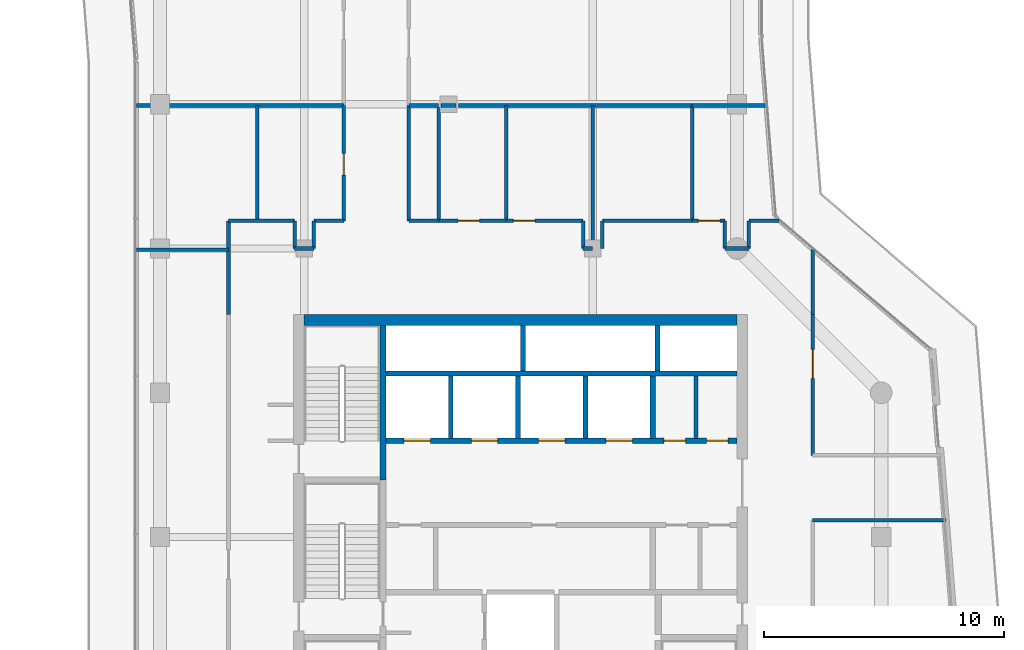
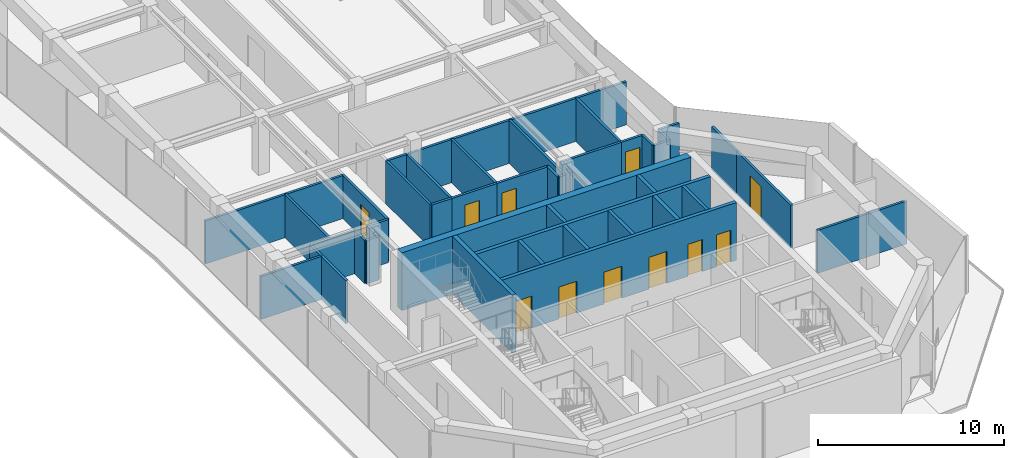
# One storey, part 20 of 23: 45 walls, 11 doors, 11 openings.
"""IFC4 building model written with IfcOpenShell, lengths in metres."""

from ifc_helpers import new_model, si_unit, direction, frame, frame_2d, origin, place, context, subcontext, project, spatial, rectangle, extrude, material, layer, layer_set, type_object, element, fill, save


model = new_model("IFC4")

# Units and contexts
model_context = context("Model", 3, precision=1e-05, world=origin(), true_north=direction((0.0, 1.0)))
body_context = subcontext(model_context, "Body", "Model", "MODEL_VIEW")
ifc_project = project(units=[si_unit("LENGTHUNIT", "METRE"), si_unit("AREAUNIT", "SQUARE_METRE"), si_unit("VOLUMEUNIT", "CUBIC_METRE"), si_unit("PLANEANGLEUNIT", "RADIAN"), si_unit("MASSUNIT", "GRAM", prefix="KILO")], contexts=[model_context])

# Site, building, storey
site_placement = place(None, origin())
site = spatial("IfcSite", under=ifc_project, at=site_placement, CompositionType="ELEMENT")
building_placement = place(site_placement, origin())
building = spatial("IfcBuilding", under=site, at=building_placement, Name="Welwitschia Terrace Campus", CompositionType="ELEMENT")
storey_placement = place(building_placement, frame((0.0, 0.0, 209.60009765625)))
storey = spatial("IfcBuildingStorey", under=building, at=storey_placement, Name="L46", CompositionType="ELEMENT", Elevation=209.60009765625)

# Wall
ifc_material_1 = material(Name="Concrete C32/40", Category="concrete")
ifc_layer_1 = layer(ifc_material_1, 0.175048828125)
ifc_layer_set_1 = layer_set([ifc_layer_1], Name="Concrete C32/40")
wall_type_1 = type_object("IfcWallType", Name="Core partition 175 Concrete C32/40", PredefinedType="PARTITIONING", material=ifc_layer_set_1)
wall_1_placement = place(storey_placement, frame((22.300048828125, 20.10009765625, 0.0), z_axis=(0.0, 0.0, 1.0), x_axis=(0.0, 1.0, 0.0)))
element("IfcWall", 1, at=wall_1_placement, inside=storey, type_object=wall_type_1, Name="Core partition", PredefinedType="PARTITIONING", context=body_context, shape_type="SweptSolid", body=[
    extrude(rectangle(XDim=2.599853515625, YDim=0.175048828125, at=frame_2d((1.2998046875, 0.0))), origin(), (0.0, 0.0, 1.0), 3.7998046875),
])

# Wall, openings, doors
ifc_material_2 = material(Name="Concrete C32/40", Category="concrete")
ifc_layer_2 = layer(ifc_material_2, 0.22509765625)
ifc_layer_set_2 = layer_set([ifc_layer_2], Name="Concrete C32/40")
wall_type_2 = type_object("IfcWallType", Name="Core partition 225 Concrete C32/40", PredefinedType="PARTITIONING", material=ifc_layer_set_2)
wall_2_placement = place(storey_placement, frame((24.0, 20.0, 0.0), z_axis=(0.0, 0.0, 1.0), x_axis=(-1.0, 0.0, 0.0)))
wall_2 = element("IfcWall", 2, at=wall_2_placement, inside=storey, type_object=wall_type_2, Name="Shaft wall", PredefinedType="PARTITIONING", context=body_context, shape_type="SweptSolid", body=[
    extrude(rectangle(XDim=14.60009765625, YDim=0.22509765625, at=frame_2d((7.300048828125, 0.0))), origin(), (0.0, 0.0, 1.0), 3.7998046875),
])
opening_1_placement = place(wall_2_placement, frame((12.75, 0.0, 0.0)))
opening_1 = element("IfcOpeningElement", 3, at=opening_1_placement, cuts=wall_2, Name="Opening LD", PredefinedType="OPENING", context=body_context, shape_type="SweptSolid", body=[
    extrude(rectangle(XDim=1.10009765625, YDim=2.10009765625, at=frame_2d((0.550048828125, 1.050048828125))), frame((0.0, 0.12255859375, 0.0), z_axis=(0.0, -1.0, 0.0), x_axis=(1.0, 0.0, 0.0)), (0.0, 0.0, 1.0), 0.2451171875),
])
opening_2_placement = place(wall_2_placement, frame((9.949951171875, 0.0, 0.0)))
opening_2 = element("IfcOpeningElement", 4, at=opening_2_placement, cuts=wall_2, Name="Opening LD", PredefinedType="OPENING", context=body_context, shape_type="SweptSolid", body=[
    extrude(rectangle(XDim=1.10009765625, YDim=2.10009765625, at=frame_2d((0.550048828125, 1.050048828125))), frame((0.0, 0.12255859375, 0.0), z_axis=(0.0, -1.0, 0.0), x_axis=(1.0, 0.0, 0.0)), (0.0, 0.0, 1.0), 0.2451171875),
])
opening_3_placement = place(wall_2_placement, frame((7.14990234375, 0.0, 0.0)))
opening_3 = element("IfcOpeningElement", 5, at=opening_3_placement, cuts=wall_2, Name="Opening LD", PredefinedType="OPENING", context=body_context, shape_type="SweptSolid", body=[
    extrude(rectangle(XDim=1.10009765625, YDim=2.10009765625, at=frame_2d((0.550048828125, 1.050048828125))), frame((0.0, 0.12255859375, 0.0), z_axis=(0.0, -1.0, 0.0), x_axis=(1.0, 0.0, 0.0)), (0.0, 0.0, 1.0), 0.2451171875),
])
opening_4_placement = place(wall_2_placement, frame((4.35009765625, 0.0, 0.0)))
opening_4 = element("IfcOpeningElement", 6, at=opening_4_placement, cuts=wall_2, Name="Opening LD", PredefinedType="OPENING", context=body_context, shape_type="SweptSolid", body=[
    extrude(rectangle(XDim=1.10009765625, YDim=2.10009765625, at=frame_2d((0.550048828125, 1.050048828125))), frame((0.0, 0.12255859375, 0.0), z_axis=(0.0, -1.0, 0.0), x_axis=(1.0, 0.0, 0.0)), (0.0, 0.0, 1.0), 0.2451171875),
])
opening_5_placement = place(wall_2_placement, frame((2.137451171875, 0.0, 0.0)))
opening_5 = element("IfcOpeningElement", 7, at=opening_5_placement, cuts=wall_2, Name="Opening DR09", PredefinedType="OPENING", context=body_context, shape_type="SweptSolid", body=[
    extrude(rectangle(XDim=0.89990234375, YDim=2.10009765625, at=frame_2d((0.449951171875, 1.050048828125))), frame((0.0, 0.12255859375, 0.0), z_axis=(0.0, -1.0, 0.0), x_axis=(1.0, 0.0, 0.0)), (0.0, 0.0, 1.0), 0.2451171875),
])
opening_6_placement = place(wall_2_placement, frame((0.362548828125, 0.0, 0.0)))
opening_6 = element("IfcOpeningElement", 8, at=opening_6_placement, cuts=wall_2, Name="Opening DR09", PredefinedType="OPENING", context=body_context, shape_type="SweptSolid", body=[
    extrude(rectangle(XDim=0.89990234375, YDim=2.10009765625, at=frame_2d((0.449951171875, 1.050048828125))), frame((0.0, 0.12255859375, 0.0), z_axis=(0.0, -1.0, 0.0), x_axis=(1.0, 0.0, 0.0)), (0.0, 0.0, 1.0), 0.2451171875),
])
ifc_material_3 = material(Name="Steel S275", Category="steel")
door_type_1 = type_object("IfcDoorType", Name="Core door DR09", OperationType="SINGLE_SWING_LEFT", PredefinedType="DOOR", material=ifc_material_3)
door_1_placement = place(opening_5_placement, origin())
door_1 = element("IfcDoor", 9, at=door_1_placement, inside=storey, type_object=door_type_1, Name="Door EH1-D", OperationType="SINGLE_SWING_LEFT", OverallHeight=2.10009765625, OverallWidth=0.89990234375, PredefinedType="DOOR", context=body_context, shape_type="SweptSolid", body=[
    extrude(rectangle(XDim=0.89990234375, YDim=2.10009765625, at=frame_2d((0.449951171875, 1.050048828125))), frame((0.0, 0.02490234375, 0.0), z_axis=(0.0, -1.0, 0.0), x_axis=(1.0, 0.0, 0.0)), (0.0, 0.0, 1.0), 0.050048828125),
])
fill(opening_5, door_1)
door_2_placement = place(opening_6_placement, origin())
door_2 = element("IfcDoor", 10, at=door_2_placement, inside=storey, type_object=door_type_1, Name="Door EH2-D", OperationType="SINGLE_SWING_LEFT", OverallHeight=2.10009765625, OverallWidth=0.89990234375, PredefinedType="DOOR", context=body_context, shape_type="SweptSolid", body=[
    extrude(rectangle(XDim=0.89990234375, YDim=2.10009765625, at=frame_2d((0.449951171875, 1.050048828125))), frame((0.0, 0.02490234375, 0.0), z_axis=(0.0, -1.0, 0.0), x_axis=(1.0, 0.0, 0.0)), (0.0, 0.0, 1.0), 0.050048828125),
])
fill(opening_6, door_2)
ifc_material_4 = material(Name="Stainless steel 304", Category="steel")
door_type_2 = type_object("IfcDoorType", Name="Lift landing door", OperationType="DOUBLE_DOOR_SLIDING", PredefinedType="DOOR", material=ifc_material_4)
door_3_placement = place(opening_1_placement, origin())
door_3 = element("IfcDoor", 11, at=door_3_placement, inside=storey, type_object=door_type_2, Name="Landing door HR1", OperationType="DOUBLE_DOOR_SLIDING", OverallHeight=2.10009765625, OverallWidth=1.10009765625, PredefinedType="DOOR", context=body_context, shape_type="SweptSolid", body=[
    extrude(rectangle(XDim=1.10009765625, YDim=2.10009765625, at=frame_2d((0.550048828125, 1.050048828125))), frame((0.0, 0.02490234375, 0.0), z_axis=(0.0, -1.0, 0.0), x_axis=(1.0, 0.0, 0.0)), (0.0, 0.0, 1.0), 0.050048828125),
])
fill(opening_1, door_3)
door_4_placement = place(opening_2_placement, origin())
door_4 = element("IfcDoor", 12, at=door_4_placement, inside=storey, type_object=door_type_2, Name="Landing door HR2", OperationType="DOUBLE_DOOR_SLIDING", OverallHeight=2.10009765625, OverallWidth=1.10009765625, PredefinedType="DOOR", context=body_context, shape_type="SweptSolid", body=[
    extrude(rectangle(XDim=1.10009765625, YDim=2.10009765625, at=frame_2d((0.550048828125, 1.050048828125))), frame((0.0, 0.02490234375, 0.0), z_axis=(0.0, -1.0, 0.0), x_axis=(1.0, 0.0, 0.0)), (0.0, 0.0, 1.0), 0.050048828125),
])
fill(opening_2, door_4)
door_5_placement = place(opening_3_placement, origin())
door_5 = element("IfcDoor", 13, at=door_5_placement, inside=storey, type_object=door_type_2, Name="Landing door HR3", OperationType="DOUBLE_DOOR_SLIDING", OverallHeight=2.10009765625, OverallWidth=1.10009765625, PredefinedType="DOOR", context=body_context, shape_type="SweptSolid", body=[
    extrude(rectangle(XDim=1.10009765625, YDim=2.10009765625, at=frame_2d((0.550048828125, 1.050048828125))), frame((0.0, 0.02490234375, 0.0), z_axis=(0.0, -1.0, 0.0), x_axis=(1.0, 0.0, 0.0)), (0.0, 0.0, 1.0), 0.050048828125),
])
fill(opening_3, door_5)
door_6_placement = place(opening_4_placement, origin())
door_6 = element("IfcDoor", 14, at=door_6_placement, inside=storey, type_object=door_type_2, Name="Landing door HR4", OperationType="DOUBLE_DOOR_SLIDING", OverallHeight=2.10009765625, OverallWidth=1.10009765625, PredefinedType="DOOR", context=body_context, shape_type="SweptSolid", body=[
    extrude(rectangle(XDim=1.10009765625, YDim=2.10009765625, at=frame_2d((0.550048828125, 1.050048828125))), frame((0.0, 0.02490234375, 0.0), z_axis=(0.0, -1.0, 0.0), x_axis=(1.0, 0.0, 0.0)), (0.0, 0.0, 1.0), 0.050048828125),
])
fill(opening_4, door_6)

# Walls
wall_3_placement = place(storey_placement, frame((9.39990234375, 22.800048828125, 0.0), z_axis=(0.0, 0.0, 1.0), x_axis=(1.0, 0.0, 0.0)))
element("IfcWall", 15, at=wall_3_placement, inside=storey, type_object=wall_type_2, Name="Shaft wall", PredefinedType="PARTITIONING", context=body_context, shape_type="SweptSolid", body=[
    extrude(rectangle(XDim=14.60009765625, YDim=0.22509765625, at=frame_2d((7.300048828125, 0.0))), origin(), (0.0, 0.0, 1.0), 3.7998046875),
])
wall_4_placement = place(storey_placement, frame((20.5, 20.10009765625, 0.0), z_axis=(0.0, 0.0, 1.0), x_axis=(0.0, 1.0, 0.0)))
element("IfcWall", 16, at=wall_4_placement, inside=storey, type_object=wall_type_2, Name="Shaft wall", PredefinedType="PARTITIONING", context=body_context, shape_type="SweptSolid", body=[
    extrude(rectangle(XDim=2.599853515625, YDim=0.22509765625, at=frame_2d((1.2998046875, 0.0))), origin(), (0.0, 0.0, 1.0), 3.7998046875),
])
ifc_material_5 = material(Name="Concrete C50/60", Category="concrete")
ifc_layer_3 = layer(ifc_material_5, 0.199951171875)
ifc_layer_set_3 = layer_set([ifc_layer_3], Name="Concrete C50/60")
wall_type_3 = type_object("IfcWallType", Name="Core wall 200 Concrete C50/60", PredefinedType="SHEAR", material=ifc_layer_set_3)
for number, where, z_axis, x_axis, name in (
    (17, (15.10009765625, 22.89990234375, 0.0), (0.0, 0.0, 1.0), (0.0, 1.0, 0.0), "Core wall"),
    (18, (20.699951171875, 22.89990234375, 0.0), (0.0, 0.0, 1.0), (0.0, 1.0, 0.0), "Core wall"),
):
    element("IfcWall", number, at=place(storey_placement, frame(where, z_axis=z_axis, x_axis=x_axis)), inside=storey, type_object=wall_type_3, Name=name, PredefinedType="SHEAR", context=body_context, shape_type="SweptSolid", body=[
        extrude(rectangle(XDim=1.900146484375, YDim=0.199951171875, at=frame_2d((0.9501953125, 0.0))), origin(), (0.0, 0.0, 1.0), 3.7998046875),
    ])
ifc_material_6 = material(Name="Concrete C50/60", Category="concrete")
ifc_layer_4 = layer(ifc_material_6, 0.25)
ifc_layer_set_4 = layer_set([ifc_layer_4], Name="Concrete C50/60")
wall_type_4 = type_object("IfcWallType", Name="Core wall 250 Concrete C50/60", PredefinedType="SHEAR", material=ifc_layer_set_4)
wall_5_placement = place(storey_placement, frame((9.27490234375, 18.375, 0.0), z_axis=(0.0, 0.0, 1.0), x_axis=(0.0, 1.0, 0.0)))
element("IfcWall", 19, at=wall_5_placement, inside=storey, type_object=wall_type_4, Name="Core wall", PredefinedType="SHEAR", context=body_context, shape_type="SweptSolid", body=[
    extrude(rectangle(XDim=6.425048828125, YDim=0.25, at=frame_2d((3.21240234375, 0.0))), origin(), (0.0, 0.0, 1.0), 3.7998046875),
])
ifc_material_7 = material(Name="Concrete C60/75", Category="concrete")
ifc_layer_5 = layer(ifc_material_7, 0.449951171875)
ifc_layer_set_5 = layer_set([ifc_layer_5], Name="Concrete C60/75")
wall_type_5 = type_object("IfcWallType", Name="Core wall 450 Concrete C60/75", PredefinedType="SHEAR", material=ifc_layer_set_5)
wall_6_placement = place(storey_placement, frame((6.0, 25.02490234375, 0.0), z_axis=(0.0, 0.0, 1.0), x_axis=(1.0, 0.0, 0.0)))
element("IfcWall", 20, at=wall_6_placement, inside=storey, type_object=wall_type_5, Name="Core outer wall", PredefinedType="SHEAR", context=body_context, shape_type="SweptSolid", body=[
    extrude(rectangle(XDim=18.0, YDim=0.449951171875, at=frame_2d((9.0, 0.0))), origin(), (0.0, 0.0, 1.0), 3.7998046875),
])
ifc_material_8 = material(Name="Gypsum board on steel studs", Category="steel")
ifc_layer_6 = layer(ifc_material_8, 0.14990234375)
ifc_layer_set_6 = layer_set([ifc_layer_6], Name="Gypsum board on steel studs")
wall_type_6 = type_object("IfcWallType", Name="Corridor partition 150 EI 30", PredefinedType="PARTITIONING", material=ifc_layer_set_6)
wall_7_placement = place(storey_placement, frame((-0.97998046875, 27.949951171875, 0.0), z_axis=(0.0, 0.0, 1.0), x_axis=(1.0, 0.0, 0.0)))
element("IfcWall", 21, at=wall_7_placement, inside=storey, type_object=wall_type_6, Name="Partition", PredefinedType="PARTITIONING", context=body_context, shape_type="SweptSolid", body=[
    extrude(rectangle(XDim=3.830078125, YDim=0.14990234375, at=frame_2d((1.9150390625, 0.0))), origin(), (0.0, 0.0, 1.0), 2.829833984375),
])
wall_8_placement = place(storey_placement, frame((-0.97998046875, 33.949951171875, 0.0), z_axis=(0.0, 0.0, 1.0), x_axis=(1.0, 0.0, 0.0)))
element("IfcWall", 22, at=wall_8_placement, inside=storey, type_object=wall_type_6, Name="Partition", PredefinedType="PARTITIONING", context=body_context, shape_type="SweptSolid", body=[
    extrude(rectangle(XDim=8.6298828125, YDim=0.14990234375, at=frame_2d((4.31494140625, 0.0))), origin(), (0.0, 0.0, 1.0), 2.829833984375),
])
wall_9_placement = place(storey_placement, frame((2.85009765625, 25.25, 0.0), z_axis=(0.0, 0.0, 1.0), x_axis=(0.0, 1.0, 0.0)))
element("IfcWall", 23, at=wall_9_placement, inside=storey, type_object=wall_type_6, Name="Partition", PredefinedType="PARTITIONING", context=body_context, shape_type="SweptSolid", body=[
    extrude(rectangle(XDim=3.89990234375, YDim=0.14990234375, at=frame_2d((1.949951171875, 0.0))), origin(), (0.0, 0.0, 1.0), 2.829833984375),
])
wall_10_placement = place(storey_placement, frame((2.85009765625, 29.14990234375, 0.0), z_axis=(0.0, 0.0, 1.0), x_axis=(1.0, 0.0, 0.0)))
element("IfcWall", 24, at=wall_10_placement, inside=storey, type_object=wall_type_6, Name="Partition", PredefinedType="PARTITIONING", context=body_context, shape_type="SweptSolid", body=[
    extrude(rectangle(XDim=2.75, YDim=0.14990234375, at=frame_2d((1.375, 0.0))), origin(), (0.0, 0.0, 1.0), 2.829833984375),
])
wall_11_placement = place(storey_placement, frame((4.050048828125, 29.14990234375, 0.0), z_axis=(0.0, 0.0, 1.0), x_axis=(0.0, 1.0, 0.0)))
element("IfcWall", 25, at=wall_11_placement, inside=storey, type_object=wall_type_6, Name="Partition", PredefinedType="PARTITIONING", context=body_context, shape_type="SweptSolid", body=[
    extrude(rectangle(XDim=4.800048828125, YDim=0.14990234375, at=frame_2d((2.39990234375, 0.0))), origin(), (0.0, 0.0, 1.0), 2.829833984375),
])
wall_12_placement = place(storey_placement, frame((5.60009765625, 28.0, 0.0), z_axis=(0.0, 0.0, 1.0), x_axis=(0.0, 1.0, 0.0)))
element("IfcWall", 26, at=wall_12_placement, inside=storey, type_object=wall_type_6, Name="Partition", PredefinedType="PARTITIONING", context=body_context, shape_type="SweptSolid", body=[
    extrude(rectangle(XDim=1.14990234375, YDim=0.14990234375, at=frame_2d((0.574951171875, 0.0))), origin(), (0.0, 0.0, 1.0), 2.829833984375),
])
wall_13_placement = place(storey_placement, frame((5.60009765625, 28.0, 0.0), z_axis=(0.0, 0.0, 1.0), x_axis=(1.0, 0.0, 0.0)))
element("IfcWall", 27, at=wall_13_placement, inside=storey, type_object=wall_type_6, Name="Partition", PredefinedType="PARTITIONING", context=body_context, shape_type="SweptSolid", body=[
    extrude(rectangle(XDim=0.7998046875, YDim=0.14990234375, at=frame_2d((0.39990234375, 0.0))), origin(), (0.0, 0.0, 1.0), 2.829833984375),
])
wall_14_placement = place(storey_placement, frame((6.39990234375, 28.0, 0.0), z_axis=(0.0, 0.0, 1.0), x_axis=(0.0, 1.0, 0.0)))
element("IfcWall", 28, at=wall_14_placement, inside=storey, type_object=wall_type_6, Name="Partition", PredefinedType="PARTITIONING", context=body_context, shape_type="SweptSolid", body=[
    extrude(rectangle(XDim=1.14990234375, YDim=0.14990234375, at=frame_2d((0.574951171875, 0.0))), origin(), (0.0, 0.0, 1.0), 2.829833984375),
])
wall_15_placement = place(storey_placement, frame((6.39990234375, 29.14990234375, 0.0), z_axis=(0.0, 0.0, 1.0), x_axis=(1.0, 0.0, 0.0)))
element("IfcWall", 29, at=wall_15_placement, inside=storey, type_object=wall_type_6, Name="Partition", PredefinedType="PARTITIONING", context=body_context, shape_type="SweptSolid", body=[
    extrude(rectangle(XDim=1.25, YDim=0.14990234375, at=frame_2d((0.625, 0.0))), origin(), (0.0, 0.0, 1.0), 2.829833984375),
])

# Wall, opening, door
wall_16_placement = place(storey_placement, frame((7.64990234375, 29.14990234375, 0.0), z_axis=(0.0, 0.0, 1.0), x_axis=(0.0, 1.0, 0.0)))
wall_16 = element("IfcWall", 30, at=wall_16_placement, inside=storey, type_object=wall_type_6, Name="Partition", PredefinedType="PARTITIONING", context=body_context, shape_type="SweptSolid", body=[
    extrude(rectangle(XDim=4.800048828125, YDim=0.14990234375, at=frame_2d((2.39990234375, 0.0))), origin(), (0.0, 0.0, 1.0), 2.829833984375),
])
opening_7_placement = place(wall_16_placement, frame((1.89990234375, 0.0, 0.0)))
opening_7 = element("IfcOpeningElement", 31, at=opening_7_placement, cuts=wall_16, Name="Opening DI09", PredefinedType="OPENING", context=body_context, shape_type="SweptSolid", body=[
    extrude(rectangle(XDim=0.89990234375, YDim=2.10009765625, at=frame_2d((0.449951171875, 1.050048828125))), frame((0.0, 0.0849609375, 0.0), z_axis=(0.0, -1.0, 0.0), x_axis=(1.0, 0.0, 0.0)), (0.0, 0.0, 1.0), 0.169921875),
])
ifc_material_9 = material(Name="Timber veneered door", Category="wood")
door_type_3 = type_object("IfcDoorType", Name="Interior door DI09", OperationType="NOTDEFINED", PredefinedType="DOOR", material=ifc_material_9)
door_7_placement = place(opening_7_placement, origin())
door_7 = element("IfcDoor", 32, at=door_7_placement, inside=storey, type_object=door_type_3, Name="Door L46 872", OperationType="SINGLE_SWING_LEFT", OverallHeight=2.10009765625, OverallWidth=0.89990234375, PredefinedType="DOOR", context=body_context, shape_type="SweptSolid", body=[
    extrude(rectangle(XDim=0.89990234375, YDim=2.10009765625, at=frame_2d((0.449951171875, 1.050048828125))), frame((0.0, 0.02490234375, 0.0), z_axis=(0.0, -1.0, 0.0), x_axis=(1.0, 0.0, 0.0)), (0.0, 0.0, 1.0), 0.050048828125),
])
fill(opening_7, door_7)

# Walls
wall_17_placement = place(storey_placement, frame((10.35009765625, 29.14990234375, 0.0), z_axis=(0.0, 0.0, 1.0), x_axis=(0.0, 1.0, 0.0)))
element("IfcWall", 33, at=wall_17_placement, inside=storey, type_object=wall_type_6, Name="Partition", PredefinedType="PARTITIONING", context=body_context, shape_type="SweptSolid", body=[
    extrude(rectangle(XDim=4.800048828125, YDim=0.14990234375, at=frame_2d((2.39990234375, 0.0))), origin(), (0.0, 0.0, 1.0), 2.829833984375),
])
wall_18_placement = place(storey_placement, frame((10.35009765625, 29.14990234375, 0.0), z_axis=(0.0, 0.0, 1.0), x_axis=(1.0, 0.0, 0.0)))
element("IfcWall", 34, at=wall_18_placement, inside=storey, type_object=wall_type_6, Name="Partition", PredefinedType="PARTITIONING", context=body_context, shape_type="SweptSolid", body=[
    extrude(rectangle(XDim=1.25, YDim=0.14990234375, at=frame_2d((0.625, 0.0))), origin(), (0.0, 0.0, 1.0), 2.829833984375),
])
wall_19_placement = place(storey_placement, frame((10.35009765625, 33.949951171875, 0.0), z_axis=(0.0, 0.0, 1.0), x_axis=(1.0, 0.0, 0.0)))
element("IfcWall", 35, at=wall_19_placement, inside=storey, type_object=wall_type_6, Name="Partition", PredefinedType="PARTITIONING", context=body_context, shape_type="SweptSolid", body=[
    extrude(rectangle(XDim=1.241943359375, YDim=0.14990234375, at=frame_2d((0.62109375, 0.0))), origin(), (0.0, 0.0, 1.0), 2.829833984375),
])
wall_20_placement = place(storey_placement, frame((11.60009765625, 29.14990234375, 0.0), z_axis=(0.0, 0.0, 1.0), x_axis=(0.0, 1.0, 0.0)))
element("IfcWall", 36, at=wall_20_placement, inside=storey, type_object=wall_type_6, Name="Partition", PredefinedType="PARTITIONING", context=body_context, shape_type="SweptSolid", body=[
    extrude(rectangle(XDim=4.72021484375, YDim=0.14990234375, at=frame_2d((2.360107421875, 0.0))), origin(), (0.0, 0.0, 1.0), 2.829833984375),
])

# Wall, opening, door
wall_21_placement = place(storey_placement, frame((11.60009765625, 29.14990234375, 0.0), z_axis=(0.0, 0.0, 1.0), x_axis=(1.0, 0.0, 0.0)))
wall_21 = element("IfcWall", 37, at=wall_21_placement, inside=storey, type_object=wall_type_6, Name="Partition", PredefinedType="PARTITIONING", context=body_context, shape_type="SweptSolid", body=[
    extrude(rectangle(XDim=2.7998046875, YDim=0.14990234375, at=frame_2d((1.39990234375, 0.0))), origin(), (0.0, 0.0, 1.0), 2.829833984375),
])
opening_8_placement = place(wall_21_placement, frame((0.800048828125, 0.0, 0.0)))
opening_8 = element("IfcOpeningElement", 38, at=opening_8_placement, cuts=wall_21, Name="Opening DI09", PredefinedType="OPENING", context=body_context, shape_type="SweptSolid", body=[
    extrude(rectangle(XDim=0.89990234375, YDim=2.10009765625, at=frame_2d((0.449951171875, 1.050048828125))), frame((0.0, 0.0849609375, 0.0), z_axis=(0.0, -1.0, 0.0), x_axis=(1.0, 0.0, 0.0)), (0.0, 0.0, 1.0), 0.169921875),
])
door_8_placement = place(opening_8_placement, origin())
door_8 = element("IfcDoor", 39, at=door_8_placement, inside=storey, type_object=door_type_3, Name="Door L46 879", OperationType="SINGLE_SWING_RIGHT", OverallHeight=2.10009765625, OverallWidth=0.89990234375, PredefinedType="DOOR", context=body_context, shape_type="SweptSolid", body=[
    extrude(rectangle(XDim=0.89990234375, YDim=2.10009765625, at=frame_2d((0.449951171875, 1.050048828125))), frame((0.0, 0.02490234375, 0.0), z_axis=(0.0, -1.0, 0.0), x_axis=(1.0, 0.0, 0.0)), (0.0, 0.0, 1.0), 0.050048828125),
])
fill(opening_8, door_8)

# Walls
wall_22_placement = place(storey_placement, frame((11.695556640625, 33.949951171875, 0.0), z_axis=(0.0, 0.0, 1.0), x_axis=(1.0, 0.0, 0.0)))
element("IfcWall", 40, at=wall_22_placement, inside=storey, type_object=wall_type_6, Name="Partition", PredefinedType="PARTITIONING", context=body_context, shape_type="SweptSolid", body=[
    extrude(rectangle(XDim=0.620849609375, YDim=0.14990234375, at=frame_2d((0.310546875, 0.0))), origin(), (0.0, 0.0, 1.0), 2.829833984375),
])
wall_23_placement = place(storey_placement, frame((12.419921875, 33.949951171875, 0.0), z_axis=(0.0, 0.0, 1.0), x_axis=(1.0, 0.0, 0.0)))
element("IfcWall", 41, at=wall_23_placement, inside=storey, type_object=wall_type_6, Name="Partition", PredefinedType="PARTITIONING", context=body_context, shape_type="SweptSolid", body=[
    extrude(rectangle(XDim=9.719970703125, YDim=0.14990234375, at=frame_2d((4.85986328125, 0.0))), origin(), (0.0, 0.0, 1.0), 2.829833984375),
])
wall_24_placement = place(storey_placement, frame((14.39990234375, 29.14990234375, 0.0), z_axis=(0.0, 0.0, 1.0), x_axis=(0.0, 1.0, 0.0)))
element("IfcWall", 42, at=wall_24_placement, inside=storey, type_object=wall_type_6, Name="Partition", PredefinedType="PARTITIONING", context=body_context, shape_type="SweptSolid", body=[
    extrude(rectangle(XDim=4.800048828125, YDim=0.14990234375, at=frame_2d((2.39990234375, 0.0))), origin(), (0.0, 0.0, 1.0), 2.829833984375),
])

# Wall, opening, door
wall_25_placement = place(storey_placement, frame((14.39990234375, 29.14990234375, 0.0), z_axis=(0.0, 0.0, 1.0), x_axis=(1.0, 0.0, 0.0)))
wall_25 = element("IfcWall", 43, at=wall_25_placement, inside=storey, type_object=wall_type_6, Name="Partition", PredefinedType="PARTITIONING", context=body_context, shape_type="SweptSolid", body=[
    extrude(rectangle(XDim=3.2001953125, YDim=0.14990234375, at=frame_2d((1.60009765625, 0.0))), origin(), (0.0, 0.0, 1.0), 2.829833984375),
])
opening_9_placement = place(wall_25_placement, frame((0.300048828125, 0.0, 0.0)))
opening_9 = element("IfcOpeningElement", 44, at=opening_9_placement, cuts=wall_25, Name="Opening DI09", PredefinedType="OPENING", context=body_context, shape_type="SweptSolid", body=[
    extrude(rectangle(XDim=0.89990234375, YDim=2.10009765625, at=frame_2d((0.449951171875, 1.050048828125))), frame((0.0, 0.0849609375, 0.0), z_axis=(0.0, -1.0, 0.0), x_axis=(1.0, 0.0, 0.0)), (0.0, 0.0, 1.0), 0.169921875),
])
door_9_placement = place(opening_9_placement, origin())
door_9 = element("IfcDoor", 45, at=door_9_placement, inside=storey, type_object=door_type_3, Name="Door L46 880", OperationType="SINGLE_SWING_LEFT", OverallHeight=2.10009765625, OverallWidth=0.89990234375, PredefinedType="DOOR", context=body_context, shape_type="SweptSolid", body=[
    extrude(rectangle(XDim=0.89990234375, YDim=2.10009765625, at=frame_2d((0.449951171875, 1.050048828125))), frame((0.0, 0.02490234375, 0.0), z_axis=(0.0, -1.0, 0.0), x_axis=(1.0, 0.0, 0.0)), (0.0, 0.0, 1.0), 0.050048828125),
])
fill(opening_9, door_9)

# Walls
wall_26_placement = place(storey_placement, frame((17.60009765625, 28.0, 0.0), z_axis=(0.0, 0.0, 1.0), x_axis=(0.0, 1.0, 0.0)))
element("IfcWall", 46, at=wall_26_placement, inside=storey, type_object=wall_type_6, Name="Partition", PredefinedType="PARTITIONING", context=body_context, shape_type="SweptSolid", body=[
    extrude(rectangle(XDim=1.14990234375, YDim=0.14990234375, at=frame_2d((0.574951171875, 0.0))), origin(), (0.0, 0.0, 1.0), 2.829833984375),
])
wall_27_placement = place(storey_placement, frame((17.60009765625, 28.0, 0.0), z_axis=(0.0, 0.0, 1.0), x_axis=(1.0, 0.0, 0.0)))
element("IfcWall", 47, at=wall_27_placement, inside=storey, type_object=wall_type_6, Name="Partition", PredefinedType="PARTITIONING", context=body_context, shape_type="SweptSolid", body=[
    extrude(rectangle(XDim=0.39990234375, YDim=0.14990234375, at=frame_2d((0.199951171875, 0.0))), origin(), (0.0, 0.0, 1.0), 2.829833984375),
])
wall_28_placement = place(storey_placement, frame((18.0, 28.0, 0.0), z_axis=(0.0, 0.0, 1.0), x_axis=(0.0, 1.0, 0.0)))
element("IfcWall", 48, at=wall_28_placement, inside=storey, type_object=wall_type_6, Name="Partition", PredefinedType="PARTITIONING", context=body_context, shape_type="SweptSolid", body=[
    extrude(rectangle(XDim=5.949951171875, YDim=0.14990234375, at=frame_2d((2.97509765625, 0.0))), origin(), (0.0, 0.0, 1.0), 2.829833984375),
])
wall_29_placement = place(storey_placement, frame((18.39990234375, 28.0, 0.0), z_axis=(0.0, 0.0, 1.0), x_axis=(0.0, 1.0, 0.0)))
element("IfcWall", 49, at=wall_29_placement, inside=storey, type_object=wall_type_6, Name="Partition", PredefinedType="PARTITIONING", context=body_context, shape_type="SweptSolid", body=[
    extrude(rectangle(XDim=1.14990234375, YDim=0.14990234375, at=frame_2d((0.574951171875, 0.0))), origin(), (0.0, 0.0, 1.0), 2.829833984375),
])
wall_30_placement = place(storey_placement, frame((18.39990234375, 29.14990234375, 0.0), z_axis=(0.0, 0.0, 1.0), x_axis=(1.0, 0.0, 0.0)))
element("IfcWall", 50, at=wall_30_placement, inside=storey, type_object=wall_type_6, Name="Partition", PredefinedType="PARTITIONING", context=body_context, shape_type="SweptSolid", body=[
    extrude(rectangle(XDim=3.739990234375, YDim=0.14990234375, at=frame_2d((1.8701171875, 0.0))), origin(), (0.0, 0.0, 1.0), 2.829833984375),
])
wall_31_placement = place(storey_placement, frame((22.139892578125, 29.14990234375, 0.0), z_axis=(0.0, 0.0, 1.0), x_axis=(0.0, 1.0, 0.0)))
element("IfcWall", 51, at=wall_31_placement, inside=storey, type_object=wall_type_6, Name="Partition", PredefinedType="PARTITIONING", context=body_context, shape_type="SweptSolid", body=[
    extrude(rectangle(XDim=4.800048828125, YDim=0.14990234375, at=frame_2d((2.39990234375, 0.0))), origin(), (0.0, 0.0, 1.0), 2.829833984375),
])

# Wall, opening, door
wall_32_placement = place(storey_placement, frame((22.139892578125, 29.14990234375, 0.0), z_axis=(0.0, 0.0, 1.0), x_axis=(1.0, 0.0, 0.0)))
wall_32 = element("IfcWall", 52, at=wall_32_placement, inside=storey, type_object=wall_type_6, Name="Partition", PredefinedType="PARTITIONING", context=body_context, shape_type="SweptSolid", body=[
    extrude(rectangle(XDim=1.360107421875, YDim=0.14990234375, at=frame_2d((0.68017578125, 0.0))), origin(), (0.0, 0.0, 1.0), 2.829833984375),
])
opening_10_placement = place(wall_32_placement, frame((0.260009765625, 0.0, 0.0)))
opening_10 = element("IfcOpeningElement", 53, at=opening_10_placement, cuts=wall_32, Name="Opening DI09", PredefinedType="OPENING", context=body_context, shape_type="SweptSolid", body=[
    extrude(rectangle(XDim=0.89990234375, YDim=2.10009765625, at=frame_2d((0.449951171875, 1.050048828125))), frame((0.0, 0.0849609375, 0.0), z_axis=(0.0, -1.0, 0.0), x_axis=(1.0, 0.0, 0.0)), (0.0, 0.0, 1.0), 0.169921875),
])
door_10_placement = place(opening_10_placement, origin())
door_10 = element("IfcDoor", 54, at=door_10_placement, inside=storey, type_object=door_type_3, Name="Door L46 881", OperationType="SINGLE_SWING_RIGHT", OverallHeight=2.10009765625, OverallWidth=0.89990234375, PredefinedType="DOOR", context=body_context, shape_type="SweptSolid", body=[
    extrude(rectangle(XDim=0.89990234375, YDim=2.10009765625, at=frame_2d((0.449951171875, 1.050048828125))), frame((0.0, 0.02490234375, 0.0), z_axis=(0.0, -1.0, 0.0), x_axis=(1.0, 0.0, 0.0)), (0.0, 0.0, 1.0), 0.050048828125),
])
fill(opening_10, door_10)

# Walls
wall_33_placement = place(storey_placement, frame((22.139892578125, 33.949951171875, 0.0), z_axis=(0.0, 0.0, 1.0), x_axis=(1.0, 0.0, 0.0)))
element("IfcWall", 55, at=wall_33_placement, inside=storey, type_object=wall_type_6, Name="Partition", PredefinedType="PARTITIONING", context=body_context, shape_type="SweptSolid", body=[
    extrude(rectangle(XDim=3.070068359375, YDim=0.14990234375, at=frame_2d((1.53515625, 0.0))), origin(), (0.0, 0.0, 1.0), 2.829833984375),
])
wall_34_placement = place(storey_placement, frame((23.5, 28.0, 0.0), z_axis=(0.0, 0.0, 1.0), x_axis=(0.0, 1.0, 0.0)))
element("IfcWall", 56, at=wall_34_placement, inside=storey, type_object=wall_type_6, Name="Partition", PredefinedType="PARTITIONING", context=body_context, shape_type="SweptSolid", body=[
    extrude(rectangle(XDim=1.14990234375, YDim=0.14990234375, at=frame_2d((0.574951171875, 0.0))), origin(), (0.0, 0.0, 1.0), 2.829833984375),
])
wall_35_placement = place(storey_placement, frame((23.5, 28.0, 0.0), z_axis=(0.0, 0.0, 1.0), x_axis=(1.0, 0.0, 0.0)))
element("IfcWall", 57, at=wall_35_placement, inside=storey, type_object=wall_type_6, Name="Partition", PredefinedType="PARTITIONING", context=body_context, shape_type="SweptSolid", body=[
    extrude(rectangle(XDim=1.0, YDim=0.14990234375, at=frame_2d((0.5, 0.0))), origin(), (0.0, 0.0, 1.0), 2.829833984375),
])
wall_36_placement = place(storey_placement, frame((24.5, 28.0, 0.0), z_axis=(0.0, 0.0, 1.0), x_axis=(0.0, 1.0, 0.0)))
element("IfcWall", 58, at=wall_36_placement, inside=storey, type_object=wall_type_6, Name="Partition", PredefinedType="PARTITIONING", context=body_context, shape_type="SweptSolid", body=[
    extrude(rectangle(XDim=1.14990234375, YDim=0.14990234375, at=frame_2d((0.574951171875, 0.0))), origin(), (0.0, 0.0, 1.0), 2.829833984375),
])
wall_37_placement = place(storey_placement, frame((24.5, 29.14990234375, 0.0), z_axis=(0.0, 0.0, 1.0), x_axis=(1.0, 0.0, 0.0)))
element("IfcWall", 59, at=wall_37_placement, inside=storey, type_object=wall_type_6, Name="Partition", PredefinedType="PARTITIONING", context=body_context, shape_type="SweptSolid", body=[
    extrude(rectangle(XDim=1.239990234375, YDim=0.14990234375, at=frame_2d((0.6201171875, 0.0))), origin(), (0.0, 0.0, 1.0), 2.829833984375),
])
wall_38_placement = place(storey_placement, frame((27.14990234375, 16.699951171875, 0.0), z_axis=(0.0, 0.0, 1.0), x_axis=(1.0, 0.0, 0.0)))
element("IfcWall", 60, at=wall_38_placement, inside=storey, type_object=wall_type_6, Name="Partition", PredefinedType="PARTITIONING", context=body_context, shape_type="SweptSolid", body=[
    extrude(rectangle(XDim=5.54248046875, YDim=0.14990234375, at=frame_2d((2.771240234375, 0.0))), origin(), (0.0, 0.0, 1.0), 2.829833984375),
])

# Wall, opening, door
wall_39_placement = place(storey_placement, frame((27.14990234375, 25.25, 0.0), z_axis=(0.0, 0.0, 1.0), x_axis=(0.0, -1.0, 0.0)))
wall_39 = element("IfcWall", 61, at=wall_39_placement, inside=storey, type_object=wall_type_6, Name="Partition", PredefinedType="PARTITIONING", context=body_context, shape_type="SweptSolid", body=[
    extrude(rectangle(XDim=5.85009765625, YDim=0.14990234375, at=frame_2d((2.925048828125, 0.0))), origin(), (0.0, 0.0, 1.0), 2.829833984375),
])
opening_11_placement = place(wall_39_placement, frame((1.449951171875, 0.0, 0.0)))
opening_11 = element("IfcOpeningElement", 62, at=opening_11_placement, cuts=wall_39, Name="Opening DI12", PredefinedType="OPENING", context=body_context, shape_type="SweptSolid", body=[
    extrude(rectangle(XDim=1.199951171875, YDim=2.10009765625, at=frame_2d((0.60009765625, 1.050048828125))), frame((0.0, 0.0849609375, 0.0), z_axis=(0.0, -1.0, 0.0), x_axis=(1.0, 0.0, 0.0)), (0.0, 0.0, 1.0), 0.169921875),
])
ifc_material_10 = material(Name="Timber veneered door", Category="wood")
door_type_4 = type_object("IfcDoorType", Name="Interior door DI12", OperationType="NOTDEFINED", PredefinedType="DOOR", material=ifc_material_10)
door_11_placement = place(opening_11_placement, origin())
door_11 = element("IfcDoor", 63, at=door_11_placement, inside=storey, type_object=door_type_4, Name="Door L46 883", OperationType="SINGLE_SWING_RIGHT", OverallHeight=2.10009765625, OverallWidth=1.199951171875, PredefinedType="DOOR", context=body_context, shape_type="SweptSolid", body=[
    extrude(rectangle(XDim=1.199951171875, YDim=2.10009765625, at=frame_2d((0.60009765625, 1.050048828125))), frame((0.0, 0.02490234375, 0.0), z_axis=(0.0, -1.0, 0.0), x_axis=(1.0, 0.0, 0.0)), (0.0, 0.0, 1.0), 0.050048828125),
])
fill(opening_11, door_11)

# Walls
wall_40_placement = place(storey_placement, frame((27.14990234375, 25.25, 0.0), z_axis=(0.0, 0.0, 1.0), x_axis=(0.0, 1.0, 0.0)))
element("IfcWall", 64, at=wall_40_placement, inside=storey, type_object=wall_type_6, Name="Partition", PredefinedType="PARTITIONING", context=body_context, shape_type="SweptSolid", body=[
    extrude(rectangle(XDim=2.699951171875, YDim=0.14990234375, at=frame_2d((1.35009765625, 0.0))), origin(), (0.0, 0.0, 1.0), 2.829833984375),
])
ifc_material_11 = material(Name="Concrete C32/40", Category="concrete")
ifc_layer_7 = layer(ifc_material_11, 0.199951171875)
ifc_layer_set_7 = layer_set([ifc_layer_7], Name="Concrete C32/40")
wall_type_7 = type_object("IfcWallType", Name="Shaft wall 200 Concrete C32/40", PredefinedType="SOLIDWALL", material=ifc_layer_set_7)
for number, where, z_axis, x_axis, name in (
    (65, (12.10009765625, 20.10009765625, 0.0), (0.0, 0.0, 1.0), (0.0, 1.0, 0.0), "Shaft wall"),
    (66, (14.89990234375, 20.10009765625, 0.0), (0.0, 0.0, 1.0), (0.0, 1.0, 0.0), "Shaft wall"),
    (67, (17.699951171875, 20.10009765625, 0.0), (0.0, 0.0, 1.0), (0.0, 1.0, 0.0), "Shaft wall"),
):
    element("IfcWall", number, at=place(storey_placement, frame(where, z_axis=z_axis, x_axis=x_axis)), inside=storey, type_object=wall_type_7, Name=name, PredefinedType="SOLIDWALL", context=body_context, shape_type="SweptSolid", body=[
        extrude(rectangle(XDim=2.599853515625, YDim=0.199951171875, at=frame_2d((1.2998046875, 0.0))), origin(), (0.0, 0.0, 1.0), 3.7998046875),
    ])

save(model, "model.ifc")
